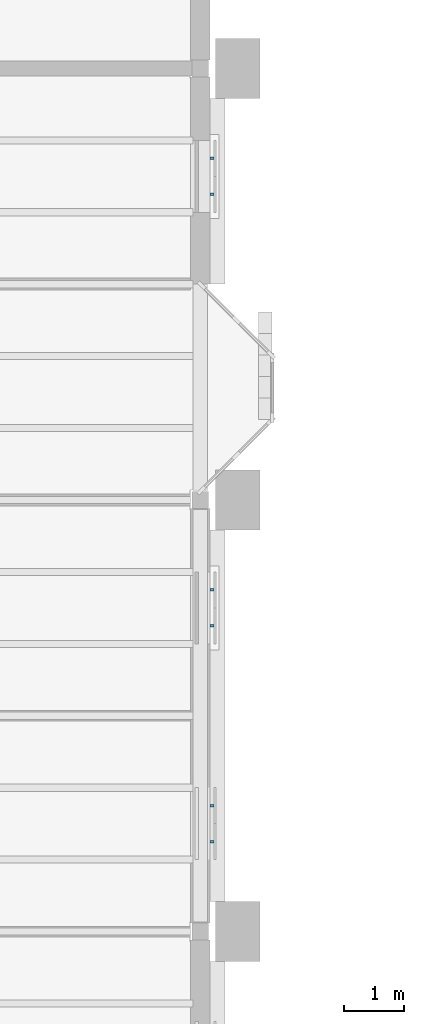
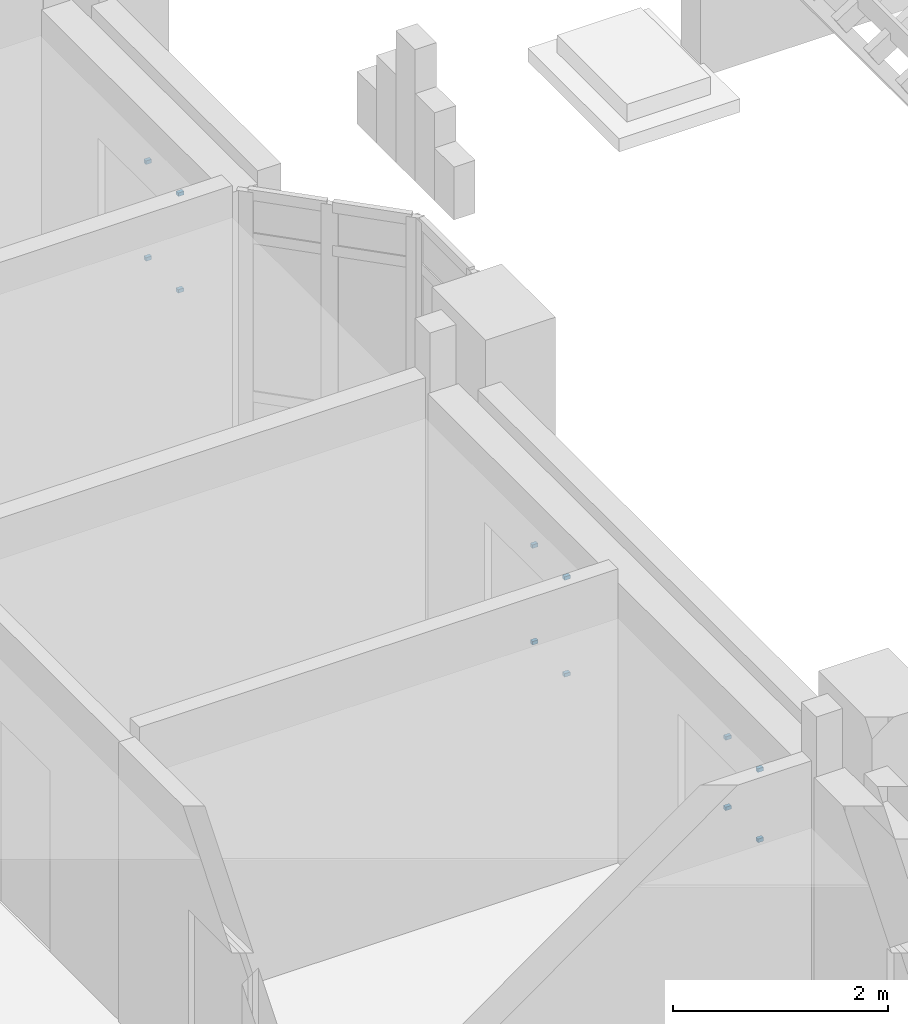
# One storey, part 54 of 71: 12 discrete accessories.
"""IFC4 building model written with IfcOpenShell, lengths in metres."""

from ifc_helpers import new_model, si_unit, direction, frame, origin, origin_2d, place, context, subcontext, project, spatial, rectangle, extrude, material, type_object, element, save


model = new_model("IFC4")

# Units and contexts
model_context = context("Model", 3, precision=1e-05, world=origin(), true_north=direction((0.0, 1.0)))
body_context = subcontext(model_context, "Body", "Model", "MODEL_VIEW")
ifc_project = project(units=[si_unit("LENGTHUNIT", "METRE"), si_unit("AREAUNIT", "SQUARE_METRE"), si_unit("VOLUMEUNIT", "CUBIC_METRE"), si_unit("PLANEANGLEUNIT", "RADIAN"), si_unit("MASSUNIT", "GRAM", prefix="KILO")], contexts=[model_context])

# Site, building, storey
site_placement = place(None, origin())
site = spatial("IfcSite", under=ifc_project, at=site_placement, CompositionType="ELEMENT")
building_placement = place(site_placement, origin())
building = spatial("IfcBuilding", under=site, at=building_placement, Name="Mazhai Court Health Centre", CompositionType="ELEMENT")
storey_placement = place(building_placement, frame((0.0, 0.0, 10.199951171875)))
storey = spatial("IfcBuildingStorey", under=building, at=storey_placement, Name="L02", CompositionType="ELEMENT", Elevation=10.199951171875)

# Discrete accessories
ifc_material = material(Name="Steel IS 2062 E250", Category="steel")
discrete_accessory_type = type_object("IfcDiscreteAccessoryType", Name="BRACKET 40", PredefinedType="BRACKET", material=ifc_material)
for number, where, z_axis, x_axis, name in (
    (1, (35.195068359375, 22.10009765625, 1.380126953125), (0.0, 0.0, 1.0), (0.0, 1.0, 0.0), "BR-V5-L02-B20a0"),
    (2, (35.195068359375, 22.10009765625, 2.179931640625), (0.0, 0.0, 1.0), (0.0, 1.0, 0.0), "BR-V5-L02-B20a1"),
    (3, (35.195068359375, 22.699951171875, 1.380126953125), (0.0, 0.0, 1.0), (0.0, 1.0, 0.0), "BR-V5-L02-B20b0"),
    (4, (35.195068359375, 22.699951171875, 2.179931640625), (0.0, 0.0, 1.0), (0.0, 1.0, 0.0), "BR-V5-L02-B20b1"),
    (5, (35.195068359375, 25.699951171875, 1.080078125), (0.0, 0.0, 1.0), (0.0, 1.0, 0.0), "BR-V5-L02-B21a0"),
    (6, (35.195068359375, 25.699951171875, 2.179931640625), (0.0, 0.0, 1.0), (0.0, 1.0, 0.0), "BR-V5-L02-B21a1"),
    (7, (35.195068359375, 26.300048828125, 1.080078125), (0.0, 0.0, 1.0), (0.0, 1.0, 0.0), "BR-V5-L02-B21b0"),
    (8, (35.195068359375, 26.300048828125, 2.179931640625), (0.0, 0.0, 1.0), (0.0, 1.0, 0.0), "BR-V5-L02-B21b1"),
    (9, (35.195068359375, 32.89990234375, 1.080078125), (0.0, 0.0, 1.0), (0.0, 1.0, 0.0), "BR-V5-L02-B31a0"),
    (10, (35.195068359375, 32.89990234375, 2.179931640625), (0.0, 0.0, 1.0), (0.0, 1.0, 0.0), "BR-V5-L02-B31a1"),
    (11, (35.195068359375, 33.5, 1.080078125), (0.0, 0.0, 1.0), (0.0, 1.0, 0.0), "BR-V5-L02-B31b0"),
    (12, (35.195068359375, 33.5, 2.179931640625), (0.0, 0.0, 1.0), (0.0, 1.0, 0.0), "BR-V5-L02-B31b1"),
):
    element("IfcDiscreteAccessory", number, at=place(storey_placement, frame(where, z_axis=z_axis, x_axis=x_axis)), inside=storey, type_object=discrete_accessory_type, Name=name, PredefinedType="BRACKET", context=body_context, shape_type="SweptSolid", body=[
        extrude(rectangle(XDim=0.0400390625, YDim=0.06005859375, at=origin_2d()), origin(), (0.0, 0.0, 1.0), 0.0400390625),
    ])

save(model, "model.ifc")
